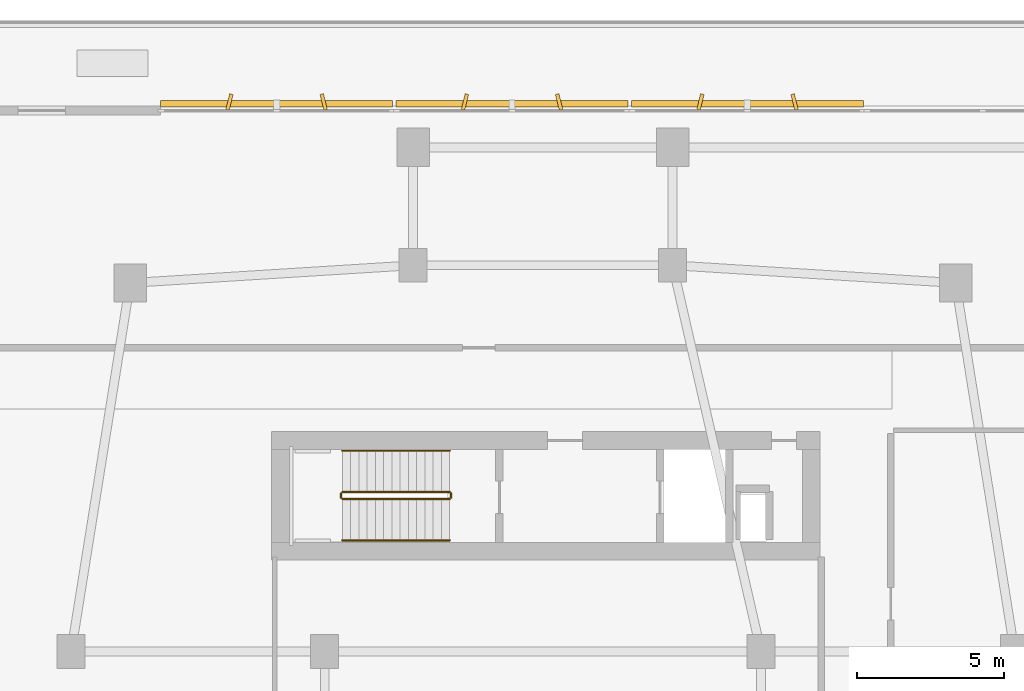
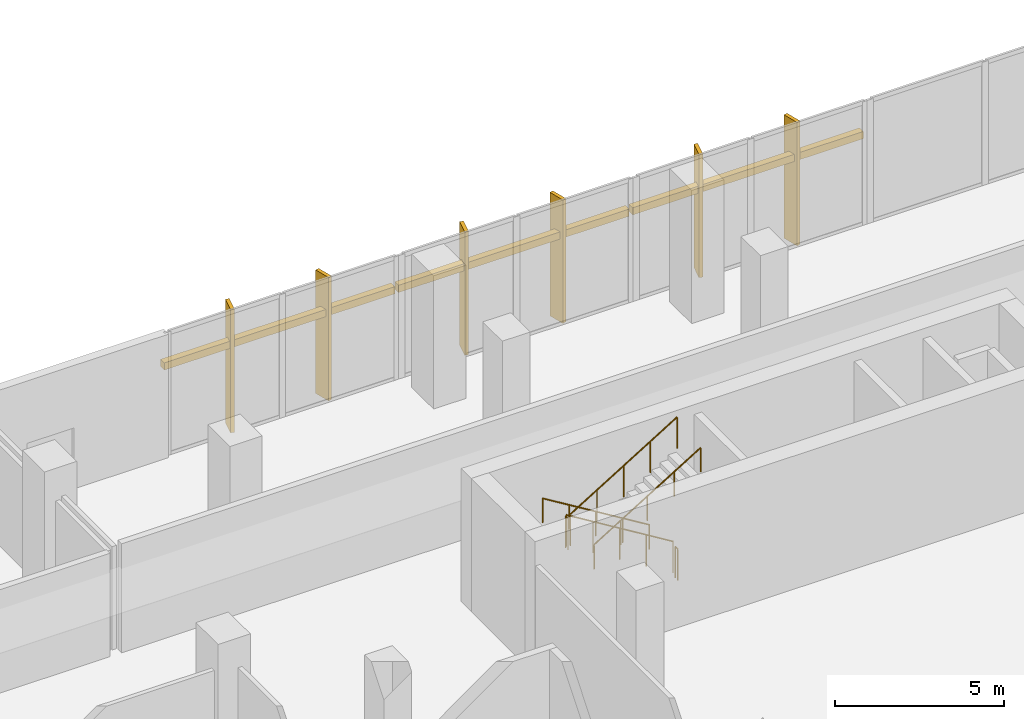
# One storey, part 29 of 30: 9 shading devices, 6 railings.
"""IFC4 building model written with IfcOpenShell, lengths in metres."""

from ifc_helpers import new_model, si_unit, derived_unit, direction, frame, origin, origin_2d, place, context, subcontext, project, spatial, rectangle, circle, extrude, material, type_object, element, save


model = new_model("IFC4")

# Units and contexts
model_context = context("Model", 3, precision=1e-05, world=origin(), true_north=direction((0.0, 1.0)))
body_context = subcontext(model_context, "Body", "Model", "MODEL_VIEW")
ifc_project = project(units=[si_unit("LENGTHUNIT", "METRE"), si_unit("AREAUNIT", "SQUARE_METRE"), si_unit("VOLUMEUNIT", "CUBIC_METRE"), si_unit("PLANEANGLEUNIT", "RADIAN"), si_unit("MASSUNIT", "GRAM", prefix="KILO"), derived_unit("THERMALTRANSMITTANCEUNIT", [(si_unit("POWERUNIT", "WATT"), 1), (si_unit("LENGTHUNIT", "METRE"), -2), (si_unit("THERMODYNAMICTEMPERATUREUNIT", "KELVIN"), -1)])], contexts=[model_context])

# Site, building, storey
site_placement = place(None, origin())
site = spatial("IfcSite", under=ifc_project, at=site_placement, CompositionType="ELEMENT")
building_placement = place(site_placement, origin())
building = spatial("IfcBuilding", under=site, at=building_placement, Name="Kivonza Crest Hotel", CompositionType="ELEMENT")
storey_placement = place(building_placement, frame((0.0, 0.0, 10.199951171875)))
storey = spatial("IfcBuildingStorey", under=building, at=storey_placement, Name="L02", CompositionType="ELEMENT", Elevation=10.199951171875)

# Railings
ifc_material_1 = material(Name="Brushed stainless steel handrail", Category="steel")
railing_type_1 = type_object("IfcRailingType", Name="RL-HAND-900", PredefinedType="HANDRAIL", material=ifc_material_1)
railing_1_placement = place(storey_placement, frame((73.840087890625, 35.31005859375, 0.17138671875)))
element("IfcRailing", 1, at=railing_1_placement, inside=storey, type_object=railing_type_1, Name="L02 ST-T2-N stair handrail 1", PredefinedType="HANDRAIL", context=body_context, shape_type="SweptSolid", body=[
    extrude(circle(Radius=0.02392578125, at=origin_2d()), frame((0.0, 0.0, 0.8759765625), z_axis=(-0.852840387347, 0.0, 0.522171689878), x_axis=(0.0, -1.0, 0.0)), (0.0, 0.0, 1.0), 4.268310546875),
    extrude(circle(Radius=0.02099609375, at=origin_2d()), origin(), (0.0, 0.0, 1.0), 0.851806640625),
    extrude(circle(Radius=0.02099609375, at=origin_2d()), frame((-0.91015625, 0.0, 0.55712890625)), (0.0, 0.0, 1.0), 0.851806640625),
    extrude(circle(Radius=0.02099609375, at=origin_2d()), frame((-1.820068359375, 0.0, 1.1142578125)), (0.0, 0.0, 1.0), 0.851806640625),
    extrude(circle(Radius=0.02099609375, at=origin_2d()), frame((-2.72998046875, 0.0, 1.671630859375)), (0.0, 0.0, 1.0), 0.851806640625),
    extrude(circle(Radius=0.02099609375, at=origin_2d()), frame((-3.64013671875, 0.0, 2.228759765625)), (0.0, 0.0, 1.0), 0.851806640625),
])
railing_2_placement = place(storey_placement, frame((70.199951171875, 32.27001953125, 2.571533203125)))
element("IfcRailing", 2, at=railing_2_placement, inside=storey, type_object=railing_type_1, Name="L02 ST-T2-N stair handrail 2", PredefinedType="HANDRAIL", context=body_context, shape_type="SweptSolid", body=[
    extrude(circle(Radius=0.02392578125, at=origin_2d()), frame((0.0, 0.0, 0.8759765625), z_axis=(0.852865859571, 0.0, 0.52213008492), x_axis=(0.0, 1.0, 0.0)), (0.0, 0.0, 1.0), 4.26806640625),
    extrude(circle(Radius=0.02099609375, at=origin_2d()), origin(), (0.0, 0.0, 1.0), 0.851806640625),
    extrude(circle(Radius=0.02099609375, at=origin_2d()), frame((0.91015625, 0.0, 0.55712890625)), (0.0, 0.0, 1.0), 0.851806640625),
    extrude(circle(Radius=0.02099609375, at=origin_2d()), frame((1.820068359375, 0.0, 1.1142578125)), (0.0, 0.0, 1.0), 0.851806640625),
    extrude(circle(Radius=0.02099609375, at=origin_2d()), frame((2.72998046875, 0.0, 1.67138671875)), (0.0, 0.0, 1.0), 0.851806640625),
    extrude(circle(Radius=0.02099609375, at=origin_2d()), frame((3.64013671875, 0.0, 2.228515625)), (0.0, 0.0, 1.0), 0.851806640625),
])
ifc_material_2 = material(Name="Painted steel balustrade", Category="steel")
railing_type_2 = type_object("IfcRailingType", Name="RL-STAIR-1150", PredefinedType="BALUSTRADE", material=ifc_material_2)
railing_3_placement = place(storey_placement, frame((73.840087890625, 33.909912109375, 0.17138671875)))
element("IfcRailing", 3, at=railing_3_placement, inside=storey, type_object=railing_type_2, Name="L02 ST-T2-N stair guard 1", PredefinedType="BALUSTRADE", context=body_context, shape_type="SweptSolid", body=[
    extrude(circle(Radius=0.02392578125, at=origin_2d()), frame((0.0, 0.0, 1.1259765625), z_axis=(-0.852840387347, 0.0, 0.522171689878), x_axis=(0.0, -1.0, 0.0)), (0.0, 0.0, 1.0), 4.268310546875),
    extrude(circle(Radius=0.02099609375, at=origin_2d()), origin(), (0.0, 0.0, 1.0), 1.101806640625),
    extrude(circle(Radius=0.02099609375, at=origin_2d()), frame((-0.91015625, 0.0, 0.55712890625)), (0.0, 0.0, 1.0), 1.101806640625),
    extrude(circle(Radius=0.02099609375, at=origin_2d()), frame((-1.820068359375, 0.0, 1.1142578125)), (0.0, 0.0, 1.0), 1.101806640625),
    extrude(circle(Radius=0.02099609375, at=origin_2d()), frame((-2.72998046875, 0.0, 1.671630859375)), (0.0, 0.0, 1.0), 1.101806640625),
    extrude(circle(Radius=0.02099609375, at=origin_2d()), frame((-3.64013671875, 0.0, 2.228759765625)), (0.0, 0.0, 1.0), 1.101806640625),
])
railing_4_placement = place(storey_placement, frame((70.14990234375, 33.860107421875, 2.400146484375)))
element("IfcRailing", 4, at=railing_4_placement, inside=storey, type_object=railing_type_2, Name="L02 ST-T2-N stair guard 2", PredefinedType="BALUSTRADE", context=body_context, shape_type="SweptSolid", body=[
    extrude(circle(Radius=0.02392578125, at=origin_2d()), frame((0.0, 0.0, 1.1259765625), z_axis=(0.0, -1.0, 0.0), x_axis=(1.0, 0.0, 0.0)), (0.0, 0.0, 1.0), 0.14013671875),
    extrude(circle(Radius=0.02099609375, at=origin_2d()), origin(), (0.0, 0.0, 1.0), 1.101806640625),
    extrude(circle(Radius=0.02099609375, at=origin_2d()), frame((0.0, -0.14013671875, 0.0)), (0.0, 0.0, 1.0), 1.101806640625),
])
railing_5_placement = place(storey_placement, frame((70.199951171875, 33.669921875, 2.571533203125)))
element("IfcRailing", 5, at=railing_5_placement, inside=storey, type_object=railing_type_2, Name="L02 ST-T2-N stair guard 3", PredefinedType="BALUSTRADE", context=body_context, shape_type="SweptSolid", body=[
    extrude(circle(Radius=0.02392578125, at=origin_2d()), frame((0.0, 0.0, 1.1259765625), z_axis=(0.852865859571, 0.0, 0.52213008492), x_axis=(0.0, 1.0, 0.0)), (0.0, 0.0, 1.0), 4.26806640625),
    extrude(circle(Radius=0.02099609375, at=origin_2d()), origin(), (0.0, 0.0, 1.0), 1.101806640625),
    extrude(circle(Radius=0.02099609375, at=origin_2d()), frame((0.91015625, 0.0, 0.55712890625)), (0.0, 0.0, 1.0), 1.101806640625),
    extrude(circle(Radius=0.02099609375, at=origin_2d()), frame((1.820068359375, 0.0, 1.1142578125)), (0.0, 0.0, 1.0), 1.101806640625),
    extrude(circle(Radius=0.02099609375, at=origin_2d()), frame((2.72998046875, 0.0, 1.67138671875)), (0.0, 0.0, 1.0), 1.101806640625),
    extrude(circle(Radius=0.02099609375, at=origin_2d()), frame((3.64013671875, 0.0, 2.228515625)), (0.0, 0.0, 1.0), 1.101806640625),
])
railing_6_placement = place(storey_placement, frame((73.889892578125, 33.860107421875, 0.0)))
element("IfcRailing", 6, at=railing_6_placement, inside=storey, type_object=railing_type_2, Name="L02 ST-T2-N stair guard 4", PredefinedType="BALUSTRADE", context=body_context, shape_type="SweptSolid", body=[
    extrude(circle(Radius=0.02392578125, at=origin_2d()), frame((0.0, 0.0, 1.1259765625), z_axis=(0.0, -1.0, 0.0), x_axis=(1.0, 0.0, 0.0)), (0.0, 0.0, 1.0), 0.14013671875),
    extrude(circle(Radius=0.02099609375, at=origin_2d()), origin(), (0.0, 0.0, 1.0), 1.101806640625),
    extrude(circle(Radius=0.02099609375, at=origin_2d()), frame((0.0, -0.14013671875, 0.0)), (0.0, 0.0, 1.0), 1.101806640625),
])

# Shading devices
ifc_material_3 = material(Name="Kiln-fired Nairobi red-ochre terracotta", Category="masonry")
shading_device_type_1 = type_object("IfcShadingDeviceType", Name="SH-BAGUETTE-300", PredefinedType="USERDEFINED", material=ifc_material_3)
shading_device_placement = place(storey_placement, frame((83.93994140625, 47.080078125, 2.98486328125), z_axis=(0.0, 0.0, 1.0), x_axis=(-1.0, 0.0, 0.0)))
element("IfcShadingDevice", 7, at=shading_device_placement, inside=storey, type_object=shading_device_type_1, Name="L02 terracotta baguette screen CW-POD-L02-19", ObjectType="BAGUETTE", PredefinedType="USERDEFINED", context=body_context, shape_type="SweptSolid", body=[
    extrude(rectangle(XDim=7.865966796875, YDim=0.219970703125, at=origin_2d()), origin(), (0.0, 0.0, 1.0), 0.260009765625),
])
for number, where, z_axis, x_axis, name in (
    (8, (75.952880859375, 47.080078125, 2.98486328125), (0.0, 0.0, 1.0), (-1.0, 0.0, 0.0), "L02 terracotta baguette screen CW-POD-L02-20"),
    (9, (67.966064453125, 47.080078125, 2.98486328125), (0.0, 0.0, 1.0), (-1.0, 0.0, 0.0), "L02 terracotta baguette screen CW-POD-L02-21"),
):
    element("IfcShadingDevice", number, at=place(storey_placement, frame(where, z_axis=z_axis, x_axis=x_axis)), inside=storey, type_object=shading_device_type_1, Name=name, ObjectType="BAGUETTE", PredefinedType="USERDEFINED", context=body_context, shape_type="SweptSolid", body=[
        extrude(rectangle(XDim=7.866943359375, YDim=0.219970703125, at=origin_2d()), origin(), (0.0, 0.0, 1.0), 0.260009765625),
    ])
ifc_material_4 = material(Name="Kiln-fired terracotta over extruded aluminium spine", Category="masonry")
shading_device_type_2 = type_object("IfcShadingDeviceType", Name="SH-FIN-550", PredefinedType="USERDEFINED", material=ifc_material_4)
for number, where, z_axis, x_axis, name in (
    (10, (85.537109375, 47.139892578125, 0.0), (0.0, 0.0, 1.0), (-0.970295726276, -0.2419218956, 0.0), "L02 vertical solar shading fin CW-POD-L02-19-1"),
    (11, (82.343017578125, 47.139892578125, 0.0), (0.0, 0.0, 1.0), (-0.970295726276, 0.2419218956, 0.0), "L02 vertical solar shading fin CW-POD-L02-19-2"),
    (12, (77.551025390625, 47.139892578125, 0.0), (0.0, 0.0, 1.0), (-0.970295726276, -0.2419218956, 0.0), "L02 vertical solar shading fin CW-POD-L02-20-1"),
    (13, (74.35595703125, 47.139892578125, 0.0), (0.0, 0.0, 1.0), (-0.970295726276, 0.2419218956, 0.0), "L02 vertical solar shading fin CW-POD-L02-20-2"),
    (14, (69.56396484375, 47.139892578125, 0.0), (0.0, 0.0, 1.0), (-0.970295726276, -0.2419218956, 0.0), "L02 vertical solar shading fin CW-POD-L02-21-1"),
    (15, (66.368896484375, 47.139892578125, 0.0), (0.0, 0.0, 1.0), (-0.970295726276, 0.2419218956, 0.0), "L02 vertical solar shading fin CW-POD-L02-21-2"),
):
    element("IfcShadingDevice", number, at=place(storey_placement, frame(where, z_axis=z_axis, x_axis=x_axis)), inside=storey, type_object=shading_device_type_2, Name=name, ObjectType="FIN", PredefinedType="USERDEFINED", context=body_context, shape_type="SweptSolid", body=[
        extrude(rectangle(XDim=0.1201171875, YDim=0.550048828125, at=origin_2d()), origin(), (0.0, 0.0, 1.0), 4.449951171875),
    ])

save(model, "model.ifc")
